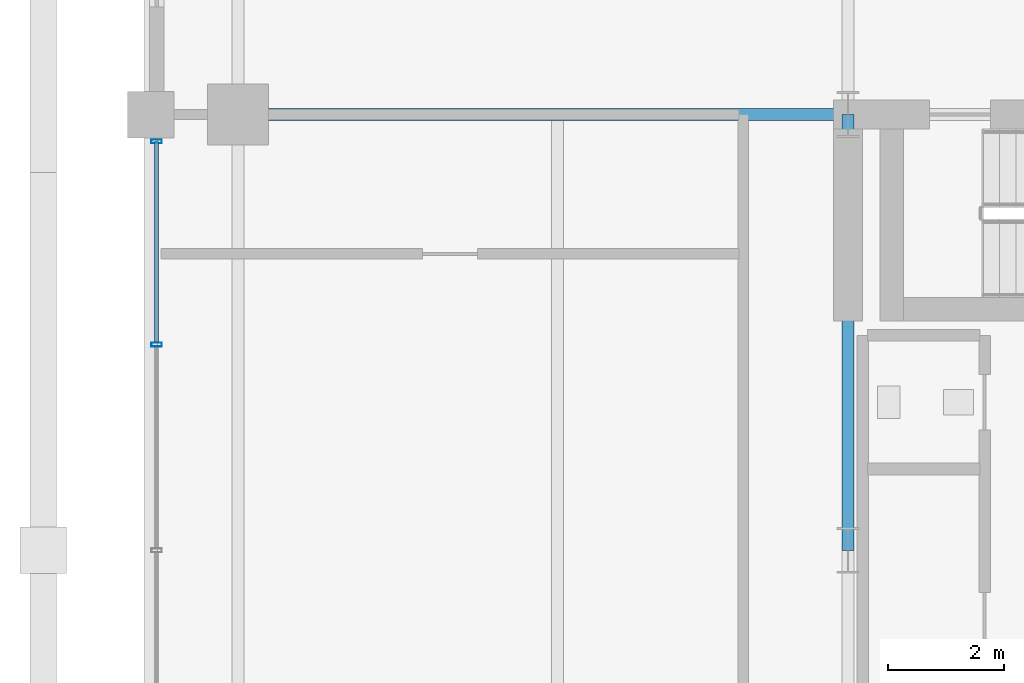
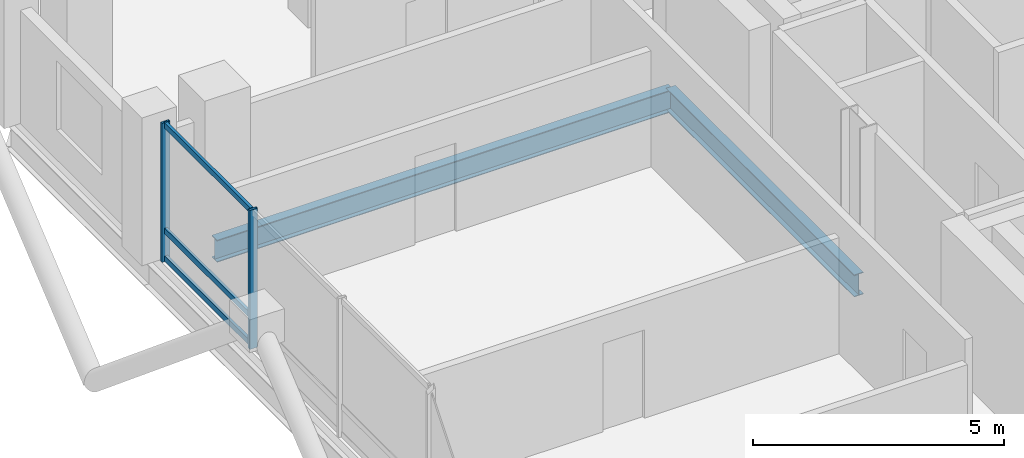
# One storey, part 8 of 24: 5 members, 2 beams, 1 element without a shape of its own.
"""IFC4 building model written with IfcOpenShell, lengths in metres."""

from ifc_helpers import new_model, si_unit, direction, frame, origin, origin_2d, place, context, subcontext, project, spatial, hollow_rectangle, i_section, extrude, material, layer, layer_set, material_profile, profile_set, type_object, element, aggregate, save


model = new_model("IFC4")

# Units and contexts
model_context = context("Model", 3, precision=1e-05, world=origin(), true_north=direction((0.0, 1.0)))
body_context = subcontext(model_context, "Body", "Model", "MODEL_VIEW")
ifc_project = project(units=[si_unit("LENGTHUNIT", "METRE"), si_unit("AREAUNIT", "SQUARE_METRE"), si_unit("VOLUMEUNIT", "CUBIC_METRE"), si_unit("PLANEANGLEUNIT", "RADIAN"), si_unit("MASSUNIT", "GRAM", prefix="KILO")], contexts=[model_context])

# Site, building, storey
site_placement = place(None, origin())
site = spatial("IfcSite", under=ifc_project, at=site_placement, CompositionType="ELEMENT")
building_placement = place(site_placement, origin())
building = spatial("IfcBuilding", under=site, at=building_placement, Name="Barlavira Tower and Art Museum", CompositionType="ELEMENT")
storey_placement = place(building_placement, frame((0.0, 0.0, 172.800048828125)))
storey = spatial("IfcBuildingStorey", under=building, at=storey_placement, Name="L44", CompositionType="ELEMENT", Elevation=172.800048828125)

# Curtain wall, members
ifc_material_1 = material(Name="Low-iron coastal laminated glass", Category="glass")
ifc_layer = layer(ifc_material_1, 0.199951171875, Name="Low-iron coastal laminated glass")
ifc_layer_set = layer_set([ifc_layer], Name="Low-iron coastal laminated glass")
curtain_wall_type = type_object("IfcCurtainWallType", Name="Pale-Metal Unitised Curtain Wall Zone 3", PredefinedType="NOTDEFINED", material=ifc_layer_set)
curtain_wall_placement = place(storey_placement, origin())
curtain_wall = element("IfcCurtainWall", 1, at=curtain_wall_placement, inside=storey, type_object=curtain_wall_type, Name="L44 Curtain Wall CW3-L44-W-B3", PredefinedType="NOTDEFINED")
ifc_material_2 = material(Name="Pale anodised aluminium", Category="aluminium")
ifc_material_profile_1 = material_profile(ifc_material_2, hollow_rectangle(XDim=0.06494140625, YDim=0.179931640625, WallThickness=0.00390625, at=origin_2d()), Name="ALU-MULL 65x180x4")
ifc_profile_set_1 = profile_set([ifc_material_profile_1], Name="Pale anodised aluminium")
member_type_1 = type_object("IfcMemberType", Name="Curtain Wall Pale-Metal Mullion 65x180", PredefinedType="MULLION", material=ifc_profile_set_1)
member_1_placement = place(storey_placement, frame((-18.39990234375, 7.034912109375, 0.0), z_axis=(0.0, 0.0, 1.0), x_axis=(0.0, -1.0, 0.0)))
member_1 = element("IfcMember", 2, at=member_1_placement, type_object=member_type_1, Name="CW3-L44-W-B3 Mullion 0", PredefinedType="MULLION", context=body_context, shape_type="SweptSolid", body=[
    extrude(hollow_rectangle(XDim=0.06494140625, YDim=0.179931640625, WallThickness=0.00390625, at=origin_2d()), origin(), (0.0, 0.0, 1.0), 3.3798828125),
])
member_2_placement = place(storey_placement, frame((-18.39990234375, 3.5400390625, 0.0), z_axis=(0.0, 0.0, 1.0), x_axis=(0.0, -1.0, 0.0)))
member_2 = element("IfcMember", 3, at=member_2_placement, type_object=member_type_1, Name="CW3-L44-W-B3 Mullion 1", PredefinedType="MULLION", context=body_context, shape_type="SweptSolid", body=[
    extrude(hollow_rectangle(XDim=0.06494140625, YDim=0.179931640625, WallThickness=0.00390625, at=origin_2d()), origin(), (0.0, 0.0, 1.0), 3.3798828125),
])
ifc_material_profile_2 = material_profile(ifc_material_2, hollow_rectangle(XDim=0.06494140625, YDim=0.139892578125, WallThickness=0.00390625, at=origin_2d()), Name="ALU-TRAN 65x140x4")
ifc_profile_set_2 = profile_set([ifc_material_profile_2], Name="Pale anodised aluminium")
member_type_2 = type_object("IfcMemberType", Name="Curtain Wall Pale-Metal Transom 65x140", PredefinedType="USERDEFINED", material=ifc_profile_set_2)
member_3_placement = place(storey_placement, frame((-18.39990234375, 7.034912109375, 0.070068359375), z_axis=(0.0, -1.0, 0.0), x_axis=(1.0, 0.0, 0.0)))
member_3 = element("IfcMember", 4, at=member_3_placement, type_object=member_type_2, Name="CW3-L44-W-B3 Transom 0.1", ObjectType="TRANSOM", PredefinedType="USERDEFINED", context=body_context, shape_type="SweptSolid", body=[
    extrude(hollow_rectangle(XDim=0.06494140625, YDim=0.139892578125, WallThickness=0.00390625, at=origin_2d()), origin(), (0.0, 0.0, 1.0), 3.449951171875),
])
member_4_placement = place(storey_placement, frame((-18.39990234375, 7.034912109375, 0.743896484375), z_axis=(0.0, -1.0, 0.0), x_axis=(1.0, 0.0, 0.0)))
member_4 = element("IfcMember", 5, at=member_4_placement, type_object=member_type_2, Name="CW3-L44-W-B3 Transom 0.2", ObjectType="TRANSOM", PredefinedType="USERDEFINED", context=body_context, shape_type="SweptSolid", body=[
    extrude(hollow_rectangle(XDim=0.06494140625, YDim=0.139892578125, WallThickness=0.00390625, at=origin_2d()), origin(), (0.0, 0.0, 1.0), 3.449951171875),
])
member_5_placement = place(storey_placement, frame((-18.39990234375, 7.034912109375, 3.31005859375), z_axis=(0.0, -1.0, 0.0), x_axis=(1.0, 0.0, 0.0)))
member_5 = element("IfcMember", 6, at=member_5_placement, type_object=member_type_2, Name="CW3-L44-W-B3 Transom 0.3", ObjectType="TRANSOM", PredefinedType="USERDEFINED", context=body_context, shape_type="SweptSolid", body=[
    extrude(hollow_rectangle(XDim=0.06494140625, YDim=0.139892578125, WallThickness=0.00390625, at=origin_2d()), origin(), (0.0, 0.0, 1.0), 3.449951171875),
])
aggregate(curtain_wall, [member_1, member_2, member_3, member_4, member_5])

# Beams
ifc_material_3 = material(Name="Steel S355", Category="steel")
ifc_material_profile_3 = material_profile(ifc_material_3, i_section(OverallWidth=0.2109375, OverallDepth=0.5390625, WebThickness=0.01171875, FlangeThickness=0.018798828125, at=origin_2d()), Name="W530x109.0")
ifc_profile_set_3 = profile_set([ifc_material_profile_3], Name="Steel S355")
beam_type = type_object("IfcBeamType", Name="Zone 3-4 Primary Floor Girder W530x109 Steel S355", PredefinedType="BEAM", material=ifc_profile_set_3)
beam_1_placement = place(storey_placement, frame((-6.5, 0.0, -0.489501953125), z_axis=(0.0, 1.0, 0.0), x_axis=(-1.0, 0.0, 0.0)))
element("IfcBeam", 7, at=beam_1_placement, inside=storey, type_object=beam_type, Name="L44 Girder C-W2", PredefinedType="BEAM", context=body_context, shape_type="SweptSolid", body=[
    extrude(i_section(OverallWidth=0.2109375, OverallDepth=0.5390625, WebThickness=0.01171875, FlangeThickness=0.018798828125, at=origin_2d()), origin(), (0.0, 0.0, 1.0), 7.5),
])
beam_2_placement = place(storey_placement, frame((-17.0, 7.5, -0.489501953125), z_axis=(1.0, 0.0, 0.0), x_axis=(0.0, 1.0, 0.0)))
element("IfcBeam", 8, at=beam_2_placement, inside=storey, type_object=beam_type, Name="L44 Girder R-W2", PredefinedType="BEAM", context=body_context, shape_type="SweptSolid", body=[
    extrude(i_section(OverallWidth=0.2109375, OverallDepth=0.5390625, WebThickness=0.01171875, FlangeThickness=0.018798828125, at=origin_2d()), origin(), (0.0, 0.0, 1.0), 10.5),
])

save(model, "model.ifc")
